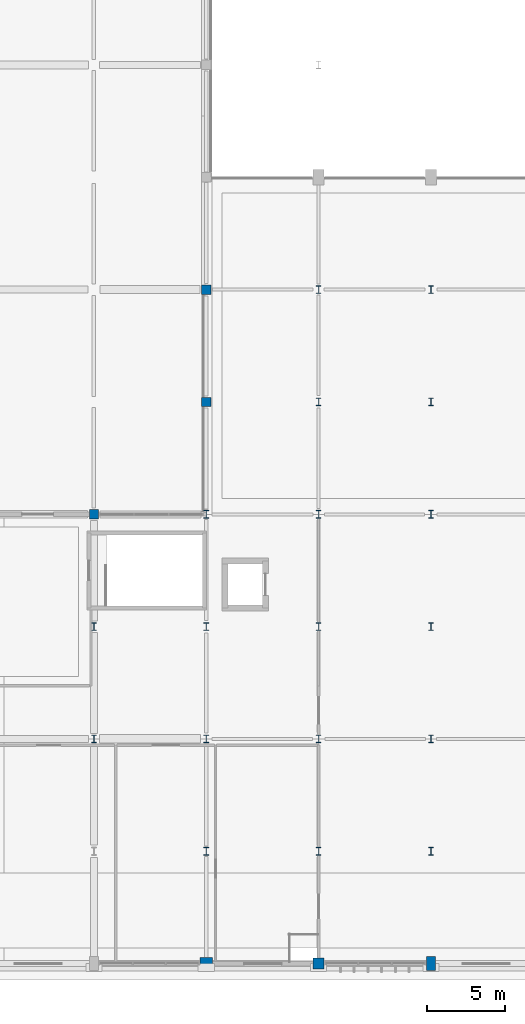
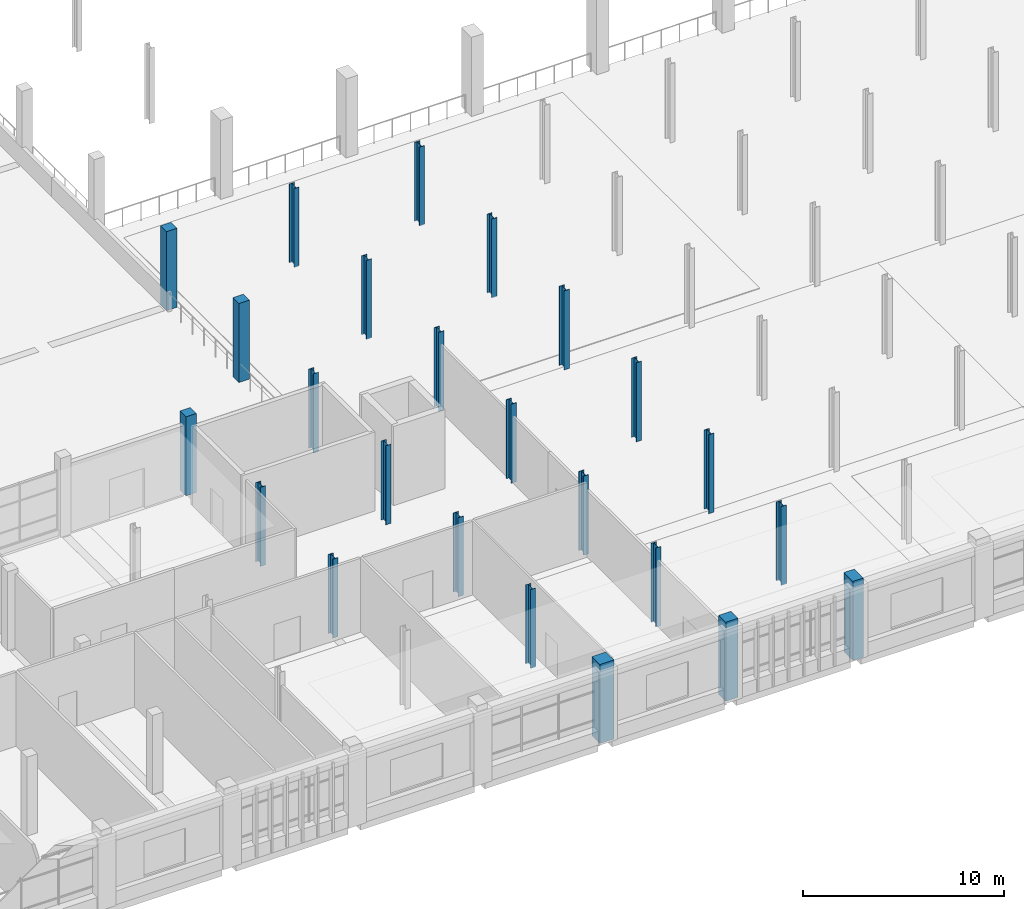
# One storey, part 5 of 82: 24 columns.
"""IFC4 building model written with IfcOpenShell, lengths in metres."""

from ifc_helpers import new_model, si_unit, direction, frame, origin, origin_2d, place, context, subcontext, project, spatial, rectangle, i_section, extrude, material, material_profile, profile_set, type_object, element, save


model = new_model("IFC4")

# Units and contexts
model_context = context("Model", 3, precision=1e-05, world=origin(), true_north=direction((0.0, 1.0)))
body_context = subcontext(model_context, "Body", "Model", "MODEL_VIEW")
ifc_project = project(units=[si_unit("LENGTHUNIT", "METRE"), si_unit("AREAUNIT", "SQUARE_METRE"), si_unit("VOLUMEUNIT", "CUBIC_METRE"), si_unit("PLANEANGLEUNIT", "RADIAN"), si_unit("MASSUNIT", "GRAM", prefix="KILO")], contexts=[model_context])

# Site, building, storey
site_placement = place(None, origin())
site = spatial("IfcSite", under=ifc_project, at=site_placement, CompositionType="ELEMENT")
building_placement = place(site_placement, origin())
building = spatial("IfcBuilding", under=site, at=building_placement, Name="Sardonyx Promenade Sports Hall", CompositionType="ELEMENT")
storey_placement = place(building_placement, frame((0.0, 0.0, 11.199951171875)))
storey = spatial("IfcBuildingStorey", under=building, at=storey_placement, Name="L02", CompositionType="ELEMENT", Elevation=11.199951171875)

# Columns
ifc_material_1 = material(Name="Concrete C40/50", Category="concrete")
ifc_material_profile_1 = material_profile(ifc_material_1, rectangle(XDim=0.60009765625, YDim=0.60009765625, at=origin_2d()))
ifc_profile_set_1 = profile_set([ifc_material_profile_1], Name="Concrete C40/50")
column_type_1 = type_object("IfcColumnType", Name="Col_Ext_RC600", PredefinedType="COLUMN", material=ifc_profile_set_1)
for number, where, z_axis, x_axis, name in (
    (1, (100.800048828125, 28.800048828125, 0.0), (0.0, 0.0, 1.0), (1.0, 0.0, 0.0), "Column CE11 L02 (100.8,28.8)"),
    (2, (108.0, 36.0, 0.0), (0.0, 0.0, 1.0), (1.0, 0.0, 0.0), "Column CE11 L02 (108.0,36.0)"),
    (3, (108.0, 43.199951171875, 0.0), (0.0, 0.0, 1.0), (1.0, 0.0, 0.0), "Column CE11 L02 (108.0,43.2)"),
):
    element("IfcColumn", number, at=place(storey_placement, frame(where, z_axis=z_axis, x_axis=x_axis)), inside=storey, type_object=column_type_1, Name=name, PredefinedType="COLUMN", context=body_context, shape_type="SweptSolid", body=[
        extrude(rectangle(XDim=0.60009765625, YDim=0.60009765625, at=origin_2d()), origin(), (0.0, 0.0, 1.0), 4.800048828125),
    ])
ifc_material_2 = material(Name="Concrete C40/50", Category="concrete")
ifc_material_profile_2 = material_profile(ifc_material_2, rectangle(XDim=0.60009765625, YDim=0.89990234375, at=origin_2d()))
ifc_profile_set_2 = profile_set([ifc_material_profile_2], Name="Concrete C40/50")
column_type_2 = type_object("IfcColumnType", Name="Col_Ext_RC600x900", PredefinedType="COLUMN", material=ifc_profile_set_2)
column_1_placement = place(storey_placement, frame((122.39990234375, 0.0, 0.0), z_axis=(0.0, 0.0, 1.0), x_axis=(1.0, 0.0, 0.0)))
element("IfcColumn", 4, at=column_1_placement, inside=storey, type_object=column_type_2, Name="Column CE12 L02 (122.4,0.0)", PredefinedType="COLUMN", context=body_context, shape_type="SweptSolid", body=[
    extrude(rectangle(XDim=0.60009765625, YDim=0.89990234375, at=origin_2d()), origin(), (0.0, 0.0, 1.0), 4.800048828125),
])
ifc_material_3 = material(Name="Concrete C40/50", Category="concrete")
ifc_material_profile_3 = material_profile(ifc_material_3, rectangle(XDim=0.699951171875, YDim=0.699951171875, at=origin_2d()))
ifc_profile_set_3 = profile_set([ifc_material_profile_3], Name="Concrete C40/50")
column_type_3 = type_object("IfcColumnType", Name="Col_Ext_RC700", PredefinedType="COLUMN", material=ifc_profile_set_3)
column_2_placement = place(storey_placement, frame((115.199951171875, 0.0, 0.0), z_axis=(0.0, 0.0, 1.0), x_axis=(1.0, 0.0, 0.0)))
element("IfcColumn", 5, at=column_2_placement, inside=storey, type_object=column_type_3, Name="Column CE05 L02 (115.2,0.0)", PredefinedType="COLUMN", context=body_context, shape_type="SweptSolid", body=[
    extrude(rectangle(XDim=0.699951171875, YDim=0.699951171875, at=origin_2d()), origin(), (0.0, 0.0, 1.0), 4.800048828125),
])
ifc_material_4 = material(Name="Concrete C50/60", Category="concrete")
ifc_material_profile_4 = material_profile(ifc_material_4, rectangle(XDim=0.800048828125, YDim=0.800048828125, at=origin_2d()))
ifc_profile_set_4 = profile_set([ifc_material_profile_4], Name="Concrete C50/60")
column_type_4 = type_object("IfcColumnType", Name="Col_Ext_RC800", PredefinedType="COLUMN", material=ifc_profile_set_4)
column_3_placement = place(storey_placement, frame((108.0, 0.0, 0.0), z_axis=(0.0, 0.0, 1.0), x_axis=(1.0, 0.0, 0.0)))
element("IfcColumn", 6, at=column_3_placement, inside=storey, type_object=column_type_4, Name="Column CE13 L02 (108.0,0.0)", PredefinedType="COLUMN", context=body_context, shape_type="SweptSolid", body=[
    extrude(rectangle(XDim=0.800048828125, YDim=0.800048828125, at=origin_2d()), origin(), (0.0, 0.0, 1.0), 4.800048828125),
])
ifc_material_5 = material(Name="Steel S355JR", Category="steel")
ifc_material_profile_5 = material_profile(ifc_material_5, i_section(OverallWidth=0.300048828125, OverallDepth=0.489990234375, WebThickness=0.011962890625, FlangeThickness=0.02294921875, at=origin_2d()))
ifc_profile_set_5 = profile_set([ifc_material_profile_5], Name="Steel S355JR")
column_type_5 = type_object("IfcColumnType", Name="Col_Int_HEA500", PredefinedType="COLUMN", material=ifc_profile_set_5)
for number, where, z_axis, x_axis, name in (
    (7, (100.800048828125, 14.39990234375, 0.0), (0.0, 0.0, 1.0), (1.0, 0.0, 0.0), "Column CI08 L02 (100.8,14.4)"),
    (8, (100.800048828125, 21.60009765625, 0.0), (0.0, 0.0, 1.0), (1.0, 0.0, 0.0), "Column CI08 L02 (100.8,21.6)"),
    (9, (108.0, 7.199951171875, 0.0), (0.0, 0.0, 1.0), (1.0, 0.0, 0.0), "Column CI08 L02 (108.0,7.2)"),
    (10, (108.0, 14.39990234375, 0.0), (0.0, 0.0, 1.0), (1.0, 0.0, 0.0), "Column CI08 L02 (108.0,14.4)"),
    (11, (108.0, 21.60009765625, 0.0), (0.0, 0.0, 1.0), (1.0, 0.0, 0.0), "Column CI08 L02 (108.0,21.6)"),
    (12, (108.0, 28.800048828125, 0.0), (0.0, 0.0, 1.0), (1.0, 0.0, 0.0), "Column CI08 L02 (108.0,28.8)"),
    (13, (115.199951171875, 7.199951171875, 0.0), (0.0, 0.0, 1.0), (1.0, 0.0, 0.0), "Column CI08 L02 (115.2,7.2)"),
    (14, (115.199951171875, 14.39990234375, 0.0), (0.0, 0.0, 1.0), (1.0, 0.0, 0.0), "Column CI08 L02 (115.2,14.4)"),
    (15, (115.199951171875, 21.60009765625, 0.0), (0.0, 0.0, 1.0), (1.0, 0.0, 0.0), "Column CI08 L02 (115.2,21.6)"),
    (16, (115.199951171875, 28.800048828125, 0.0), (0.0, 0.0, 1.0), (1.0, 0.0, 0.0), "Column CI08 L02 (115.2,28.8)"),
    (17, (115.199951171875, 36.0, 0.0), (0.0, 0.0, 1.0), (1.0, 0.0, 0.0), "Column CI08 L02 (115.2,36.0)"),
    (18, (115.199951171875, 43.199951171875, 0.0), (0.0, 0.0, 1.0), (1.0, 0.0, 0.0), "Column CI08 L02 (115.2,43.2)"),
    (19, (122.39990234375, 7.199951171875, 0.0), (0.0, 0.0, 1.0), (1.0, 0.0, 0.0), "Column CI08 L02 (122.4,7.2)"),
    (20, (122.39990234375, 14.39990234375, 0.0), (0.0, 0.0, 1.0), (1.0, 0.0, 0.0), "Column CI08 L02 (122.4,14.4)"),
    (21, (122.39990234375, 21.60009765625, 0.0), (0.0, 0.0, 1.0), (1.0, 0.0, 0.0), "Column CI08 L02 (122.4,21.6)"),
    (22, (122.39990234375, 28.800048828125, 0.0), (0.0, 0.0, 1.0), (1.0, 0.0, 0.0), "Column CI08 L02 (122.4,28.8)"),
    (23, (122.39990234375, 36.0, 0.0), (0.0, 0.0, 1.0), (1.0, 0.0, 0.0), "Column CI08 L02 (122.4,36.0)"),
    (24, (122.39990234375, 43.199951171875, 0.0), (0.0, 0.0, 1.0), (1.0, 0.0, 0.0), "Column CI08 L02 (122.4,43.2)"),
):
    element("IfcColumn", number, at=place(storey_placement, frame(where, z_axis=z_axis, x_axis=x_axis)), inside=storey, type_object=column_type_5, Name=name, PredefinedType="COLUMN", context=body_context, shape_type="SweptSolid", body=[
        extrude(i_section(OverallWidth=0.300048828125, OverallDepth=0.489990234375, WebThickness=0.011962890625, FlangeThickness=0.02294921875, at=origin_2d()), origin(), (0.0, 0.0, 1.0), 4.800048828125),
    ])

save(model, "model.ifc")
